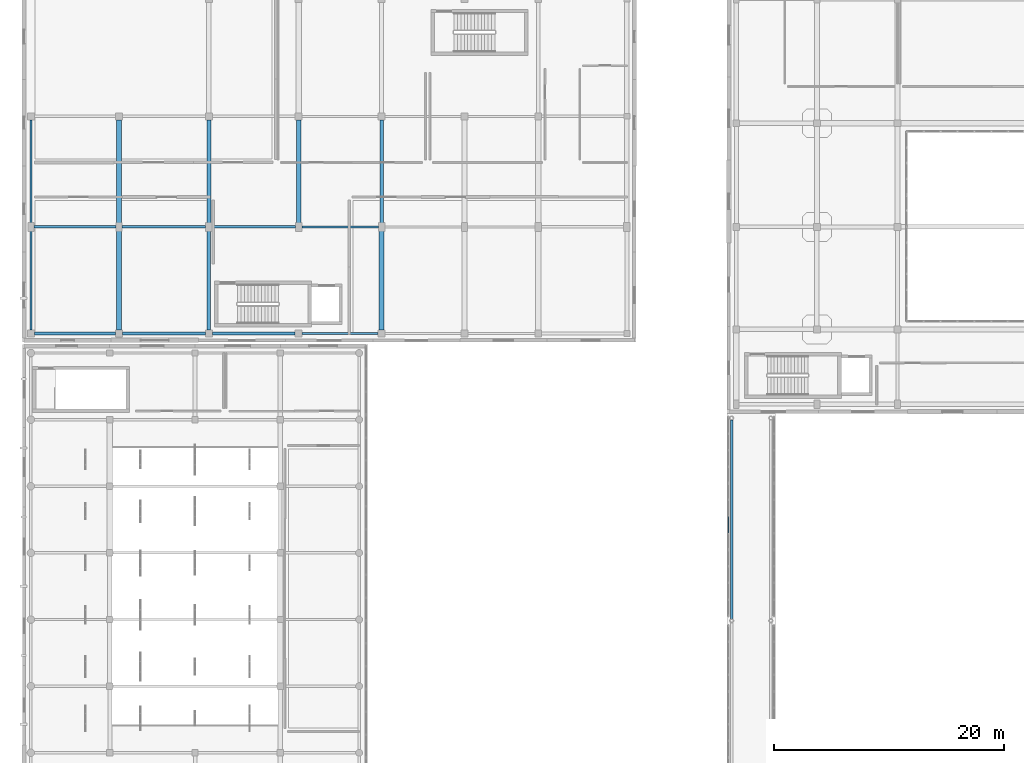
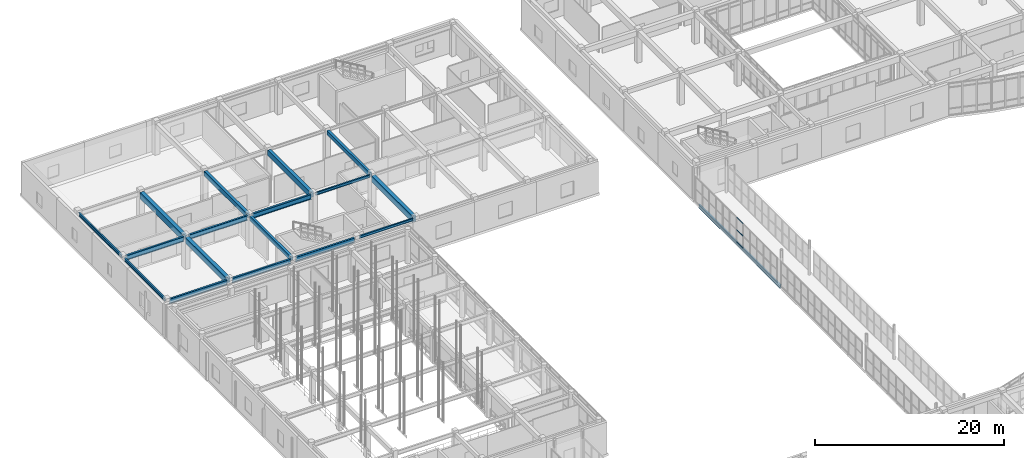
# One storey, part 63 of 142: 18 beams, 3 members, 1 element without a shape of its own.
"""IFC4 building model written with IfcOpenShell, lengths in metres."""

from ifc_helpers import new_model, si_unit, direction, frame, origin, origin_2d, place, context, subcontext, project, spatial, rectangle, hollow_rectangle, i_section, extrude, material, layer, layer_set, material_profile, profile_set, type_object, element, aggregate, save


model = new_model("IFC4")

# Units and contexts
model_context = context("Model", 3, precision=1e-05, world=origin(), true_north=direction((0.0, 1.0)))
body_context = subcontext(model_context, "Body", "Model", "MODEL_VIEW")
ifc_project = project(units=[si_unit("LENGTHUNIT", "METRE"), si_unit("AREAUNIT", "SQUARE_METRE"), si_unit("VOLUMEUNIT", "CUBIC_METRE"), si_unit("PLANEANGLEUNIT", "RADIAN"), si_unit("MASSUNIT", "GRAM", prefix="KILO")], contexts=[model_context])

# Site, building, storey
site_placement = place(None, origin())
site = spatial("IfcSite", under=ifc_project, at=site_placement, CompositionType="ELEMENT")
building_placement = place(site_placement, origin())
building = spatial("IfcBuilding", under=site, at=building_placement, Name="Valcora Specialist Clinic", CompositionType="ELEMENT")
storey_placement = place(building_placement, frame((0.0, 0.0, 5.10009765625)))
storey = spatial("IfcBuildingStorey", under=building, at=storey_placement, Name="L01", CompositionType="ELEMENT", Elevation=5.10009765625)

# Beams
ifc_material_1 = material(Name="Steel ASTM A992 Grade 50", Category="steel")
ifc_material_profile_1 = material_profile(ifc_material_1, i_section(OverallWidth=0.18994140625, OverallDepth=0.45703125, WebThickness=0.009033203125, FlangeThickness=0.014892578125, at=origin_2d()), Name="ST-IR-460X190")
ifc_profile_set_1 = profile_set([ifc_material_profile_1], Name="Steel ASTM A992 Grade 50")
beam_type_1 = type_object("IfcBeamType", Name="TY-BG-IR460", PredefinedType="HOLLOWCORE", material=ifc_profile_set_1)
beam_1_placement = place(storey_placement, frame((61.60009765625, 56.159912109375, -0.482666015625), z_axis=(0.0, 1.0, 0.0), x_axis=(-1.0, 0.0, 0.0)))
element("IfcBeam", 1, at=beam_1_placement, inside=storey, type_object=beam_type_1, Name="Bridge girder BM-L01-1620", PredefinedType="HOLLOWCORE", context=body_context, shape_type="SweptSolid", body=[
    extrude(i_section(OverallWidth=0.18994140625, OverallDepth=0.45703125, WebThickness=0.009033203125, FlangeThickness=0.014892578125, at=origin_2d()), origin(), (0.0, 0.0, 1.0), 17.280029296875),
])
ifc_material_profile_2 = material_profile(ifc_material_1, i_section(OverallWidth=0.1708984375, OverallDepth=0.35595703125, WebThickness=0.008056640625, FlangeThickness=0.011962890625, at=origin_2d()), Name="ST-IR-360X170")
ifc_profile_set_2 = profile_set([ifc_material_profile_2], Name="Steel ASTM A992 Grade 50")
beam_type_2 = type_object("IfcBeamType", Name="TY-BM-IR360", PredefinedType="BEAM", material=ifc_profile_set_2)
beam_2_placement = place(storey_placement, frame((24.300048828125, 80.949951171875, 3.947998046875), z_axis=(1.0, 0.0, 0.0), x_axis=(0.0, 1.0, 0.0)))
element("IfcBeam", 2, at=beam_2_placement, inside=storey, type_object=beam_type_2, Name="Beam BM-L01-0290", PredefinedType="BEAM", context=body_context, shape_type="SweptSolid", body=[
    extrude(i_section(OverallWidth=0.1708984375, OverallDepth=0.35595703125, WebThickness=0.008056640625, FlangeThickness=0.011962890625, at=origin_2d()), origin(), (0.0, 0.0, 1.0), 6.599853515625),
])
beam_3_placement = place(storey_placement, frame((24.27490234375, 90.199951171875, 3.947998046875), z_axis=(1.0, 0.0, 0.0), x_axis=(0.0, 1.0, 0.0)))
element("IfcBeam", 3, at=beam_3_placement, inside=storey, type_object=beam_type_2, Name="Beam BM-L01-0297", PredefinedType="BEAM", context=body_context, shape_type="SweptSolid", body=[
    extrude(i_section(OverallWidth=0.1708984375, OverallDepth=0.35595703125, WebThickness=0.008056640625, FlangeThickness=0.011962890625, at=origin_2d()), origin(), (0.0, 0.0, 1.0), 6.650146484375),
])
ifc_material_profile_3 = material_profile(ifc_material_1, i_section(OverallWidth=0.177978515625, OverallDepth=0.406005859375, WebThickness=0.008056640625, FlangeThickness=0.012939453125, at=origin_2d()), Name="ST-IR-410X180")
ifc_profile_set_3 = profile_set([ifc_material_profile_3], Name="Steel ASTM A992 Grade 50")
beam_type_3 = type_object("IfcBeamType", Name="TY-BM-IR410", PredefinedType="SPANDREL", material=ifc_profile_set_3)
beam_4_placement = place(storey_placement, frame((0.75, 81.25, 3.9228515625), z_axis=(0.0, 1.0, 0.0), x_axis=(-1.0, 0.0, 0.0)))
element("IfcBeam", 4, at=beam_4_placement, inside=storey, type_object=beam_type_3, Name="Beam BM-L01-0313", PredefinedType="SPANDREL", context=body_context, shape_type="SweptSolid", body=[
    extrude(i_section(OverallWidth=0.177978515625, OverallDepth=0.406005859375, WebThickness=0.008056640625, FlangeThickness=0.012939453125, at=origin_2d()), origin(), (0.0, 0.0, 1.0), 8.675048828125),
])
beam_5_placement = place(storey_placement, frame((0.75, 90.47509765625, 3.9228515625), z_axis=(0.0, 1.0, 0.0), x_axis=(-1.0, 0.0, 0.0)))
element("IfcBeam", 5, at=beam_5_placement, inside=storey, type_object=beam_type_3, Name="Beam BM-L01-0314", PredefinedType="SPANDREL", context=body_context, shape_type="SweptSolid", body=[
    extrude(i_section(OverallWidth=0.177978515625, OverallDepth=0.406005859375, WebThickness=0.008056640625, FlangeThickness=0.012939453125, at=origin_2d()), origin(), (0.0, 0.0, 1.0), 9.02490234375),
])
ifc_material_profile_4 = material_profile(ifc_material_1, i_section(OverallWidth=0.22900390625, OverallDepth=0.612060546875, WebThickness=0.011962890625, FlangeThickness=0.02001953125, at=origin_2d()), Name="ST-IR-610X229")
ifc_profile_set_4 = profile_set([ifc_material_profile_4], Name="Steel ASTM A992 Grade 50")
beam_type_4 = type_object("IfcBeamType", Name="TY-BM-IR610", PredefinedType="BEAM", material=ifc_profile_set_4)
beam_6_placement = place(storey_placement, frame((1.050048828125, 80.949951171875, 3.81982421875), z_axis=(1.0, 0.0, 0.0), x_axis=(0.0, 1.0, 0.0)))
element("IfcBeam", 6, at=beam_6_placement, inside=storey, type_object=beam_type_4, Name="Beam BM-L01-0287", PredefinedType="BEAM", context=body_context, shape_type="SweptSolid", body=[
    extrude(i_section(OverallWidth=0.22900390625, OverallDepth=0.612060546875, WebThickness=0.011962890625, FlangeThickness=0.02001953125, at=origin_2d()), origin(), (0.0, 0.0, 1.0), 7.050048828125),
])
for number, where, z_axis, x_axis, name in (
    (7, (8.699951171875, 80.949951171875, 3.81982421875), (1.0, 0.0, 0.0), (0.0, 1.0, 0.0), "Beam BM-L01-0288"),
    (8, (16.5, 80.949951171875, 3.81982421875), (1.0, 0.0, 0.0), (0.0, 1.0, 0.0), "Beam BM-L01-0289"),
):
    element("IfcBeam", number, at=place(storey_placement, frame(where, z_axis=z_axis, x_axis=x_axis)), inside=storey, type_object=beam_type_4, Name=name, PredefinedType="BEAM", context=body_context, shape_type="SweptSolid", body=[
        extrude(i_section(OverallWidth=0.22900390625, OverallDepth=0.612060546875, WebThickness=0.011962890625, FlangeThickness=0.02001953125, at=origin_2d()), origin(), (0.0, 0.0, 1.0), 7.199951171875),
    ])
beam_7_placement = place(storey_placement, frame((1.02490234375, 90.199951171875, 3.81982421875), z_axis=(1.0, 0.0, 0.0), x_axis=(0.0, 1.0, 0.0)))
element("IfcBeam", 9, at=beam_7_placement, inside=storey, type_object=beam_type_4, Name="Beam BM-L01-0294", PredefinedType="BEAM", context=body_context, shape_type="SweptSolid", body=[
    extrude(i_section(OverallWidth=0.22900390625, OverallDepth=0.612060546875, WebThickness=0.011962890625, FlangeThickness=0.02001953125, at=origin_2d()), origin(), (0.0, 0.0, 1.0), 7.10009765625),
])
for number, where, z_axis, x_axis, name in (
    (10, (8.675048828125, 90.199951171875, 3.81982421875), (1.0, 0.0, 0.0), (0.0, 1.0, 0.0), "Beam BM-L01-0295"),
    (11, (16.47509765625, 90.199951171875, 3.81982421875), (1.0, 0.0, 0.0), (0.0, 1.0, 0.0), "Beam BM-L01-0296"),
):
    element("IfcBeam", number, at=place(storey_placement, frame(where, z_axis=z_axis, x_axis=x_axis)), inside=storey, type_object=beam_type_4, Name=name, PredefinedType="BEAM", context=body_context, shape_type="SweptSolid", body=[
        extrude(i_section(OverallWidth=0.22900390625, OverallDepth=0.612060546875, WebThickness=0.011962890625, FlangeThickness=0.02001953125, at=origin_2d()), origin(), (0.0, 0.0, 1.0), 7.25),
    ])
ifc_material_2 = material(Name="Concrete C40/50", Category="concrete")
ifc_material_profile_5 = material_profile(ifc_material_2, rectangle(XDim=0.300048828125, YDim=0.550048828125, at=origin_2d()), Name="RC-BM-300X550")
ifc_profile_set_5 = profile_set([ifc_material_profile_5], Name="Concrete C40/50")
beam_type_5 = type_object("IfcBeamType", Name="TY-BM-RC300X550", PredefinedType="BEAM", material=ifc_profile_set_5)
beam_8_placement = place(storey_placement, frame((16.199951171875, 81.25, 3.85498046875), z_axis=(0.0, 1.0, 0.0), x_axis=(-1.0, 0.0, 0.0)))
element("IfcBeam", 12, at=beam_8_placement, inside=storey, type_object=beam_type_5, Name="Beam BM-L01-0317", PredefinedType="BEAM", context=body_context, shape_type="SweptSolid", body=[
    extrude(rectangle(XDim=0.300048828125, YDim=0.550048828125, at=origin_2d()), origin(), (0.0, 0.0, 1.0), 8.675048828125),
])
beam_9_placement = place(storey_placement, frame((31.199951171875, 90.47509765625, 3.85498046875), z_axis=(0.0, 1.0, 0.0), x_axis=(-1.0, 0.0, 0.0)))
element("IfcBeam", 13, at=beam_9_placement, inside=storey, type_object=beam_type_5, Name="Beam BM-L01-0323", PredefinedType="BEAM", context=body_context, shape_type="SweptSolid", body=[
    extrude(rectangle(XDim=0.300048828125, YDim=0.550048828125, at=origin_2d()), origin(), (0.0, 0.0, 1.0), 9.02490234375),
])
ifc_material_profile_6 = material_profile(ifc_material_2, rectangle(XDim=0.35009765625, YDim=0.60009765625, at=origin_2d()), Name="RC-BM-350X600")
ifc_profile_set_6 = profile_set([ifc_material_profile_6], Name="Concrete C40/50")
beam_type_6 = type_object("IfcBeamType", Name="TY-BM-RC350X600", PredefinedType="BEAM", material=ifc_profile_set_6)
beam_10_placement = place(storey_placement, frame((16.199951171875, 90.47509765625, 3.829833984375), z_axis=(0.0, 1.0, 0.0), x_axis=(-1.0, 0.0, 0.0)))
element("IfcBeam", 14, at=beam_10_placement, inside=storey, type_object=beam_type_6, Name="Beam BM-L01-0318", PredefinedType="BEAM", context=body_context, shape_type="SweptSolid", body=[
    extrude(rectangle(XDim=0.35009765625, YDim=0.60009765625, at=origin_2d()), origin(), (0.0, 0.0, 1.0), 9.02490234375),
])
ifc_material_profile_7 = material_profile(ifc_material_2, rectangle(XDim=0.39990234375, YDim=0.699951171875, at=origin_2d()), Name="RC-BM-400X700")
ifc_profile_set_7 = profile_set([ifc_material_profile_7], Name="Concrete C40/50")
beam_type_7 = type_object("IfcBeamType", Name="TY-BM-RC400X700", PredefinedType="BEAM", material=ifc_profile_set_7)
beam_11_placement = place(storey_placement, frame((24.0, 90.47509765625, 3.77978515625), z_axis=(0.0, 1.0, 0.0), x_axis=(-1.0, 0.0, 0.0)))
element("IfcBeam", 15, at=beam_11_placement, inside=storey, type_object=beam_type_7, Name="Beam BM-L01-0320", PredefinedType="BEAM", context=body_context, shape_type="SweptSolid", body=[
    extrude(rectangle(XDim=0.39990234375, YDim=0.699951171875, at=origin_2d()), origin(), (0.0, 0.0, 1.0), 9.02490234375),
])
ifc_material_profile_8 = material_profile(ifc_material_2, rectangle(XDim=0.449951171875, YDim=0.75, at=origin_2d()), Name="RC-BM-450X750")
ifc_profile_set_8 = profile_set([ifc_material_profile_8], Name="Concrete C40/50")
beam_type_8 = type_object("IfcBeamType", Name="TY-BM-RC450X750", PredefinedType="BEAM", material=ifc_profile_set_8)
beam_12_placement = place(storey_placement, frame((8.39990234375, 81.25, 3.7548828125), z_axis=(0.0, 1.0, 0.0), x_axis=(-1.0, 0.0, 0.0)))
element("IfcBeam", 16, at=beam_12_placement, inside=storey, type_object=beam_type_8, Name="Beam BM-L01-0315", PredefinedType="BEAM", context=body_context, shape_type="SweptSolid", body=[
    extrude(rectangle(XDim=0.449951171875, YDim=0.75, at=origin_2d()), origin(), (0.0, 0.0, 1.0), 8.675048828125),
])
ifc_material_profile_9 = material_profile(ifc_material_2, rectangle(XDim=0.449951171875, YDim=0.800048828125, at=origin_2d()), Name="RC-BM-450X800")
ifc_profile_set_9 = profile_set([ifc_material_profile_9], Name="Concrete C40/50")
beam_type_9 = type_object("IfcBeamType", Name="TY-BM-RC450X800", PredefinedType="BEAM", material=ifc_profile_set_9)
beam_13_placement = place(storey_placement, frame((8.39990234375, 90.47509765625, 3.72998046875), z_axis=(0.0, 1.0, 0.0), x_axis=(-1.0, 0.0, 0.0)))
element("IfcBeam", 17, at=beam_13_placement, inside=storey, type_object=beam_type_9, Name="Beam BM-L01-0316", PredefinedType="BEAM", context=body_context, shape_type="SweptSolid", body=[
    extrude(rectangle(XDim=0.449951171875, YDim=0.800048828125, at=origin_2d()), origin(), (0.0, 0.0, 1.0), 9.02490234375),
])
beam_14_placement = place(storey_placement, frame((31.199951171875, 81.25, 3.72998046875), z_axis=(0.0, 1.0, 0.0), x_axis=(-1.0, 0.0, 0.0)))
element("IfcBeam", 18, at=beam_14_placement, inside=storey, type_object=beam_type_9, Name="Beam BM-L01-0322", PredefinedType="BEAM", context=body_context, shape_type="SweptSolid", body=[
    extrude(rectangle(XDim=0.449951171875, YDim=0.800048828125, at=origin_2d()), origin(), (0.0, 0.0, 1.0), 8.675048828125),
])

# Curtain wall, members
ifc_material_3 = material(Name="Anodized Bronze Aluminium 6063-T6", Category="aluminium")
ifc_layer = layer(ifc_material_3, 0.175048828125)
ifc_layer_set = layer_set([ifc_layer], Name="Anodized Bronze Aluminium 6063-T6")
curtain_wall_type = type_object("IfcCurtainWallType", Name="TY-CW-BRG14", PredefinedType="NOTDEFINED", material=ifc_layer_set)
curtain_wall_placement = place(storey_placement, origin())
curtain_wall = element("IfcCurtainWall", 19, at=curtain_wall_placement, inside=storey, type_object=curtain_wall_type, Name="Curtain wall CW-L01-238", PredefinedType="NOTDEFINED")
ifc_material_profile_10 = material_profile(ifc_material_3, hollow_rectangle(XDim=0.06494140625, YDim=0.1298828125, WallThickness=0.00390625, at=origin_2d()), Name="AL-TRN-65X130")
ifc_profile_set_10 = profile_set([ifc_material_profile_10], Name="Anodized Bronze Aluminium 6063-T6")
member_type = type_object("IfcMemberType", Name="TY-CWT-65X130", PredefinedType="USERDEFINED", material=ifc_profile_set_10)
member_1_placement = place(storey_placement, frame((61.320068359375, 63.640869140625, 0.032470703125), z_axis=(0.0, 1.0, 0.0), x_axis=(-1.0, 0.0, 0.0)))
member_1 = element("IfcMember", 20, at=member_1_placement, type_object=member_type, Name="CW-BRG-14 transom 2.1", ObjectType="TRANSOM", PredefinedType="USERDEFINED", context=body_context, shape_type="SweptSolid", body=[
    extrude(hollow_rectangle(XDim=0.06494140625, YDim=0.1298828125, WallThickness=0.00390625, at=origin_2d()), origin(), (0.0, 0.0, 1.0), 1.376708984375),
])
member_2_placement = place(storey_placement, frame((61.320068359375, 63.640869140625, 1.619873046875), z_axis=(0.0, 1.0, 0.0), x_axis=(-1.0, 0.0, 0.0)))
member_2 = element("IfcMember", 21, at=member_2_placement, type_object=member_type, Name="CW-BRG-14 transom 2.2", ObjectType="TRANSOM", PredefinedType="USERDEFINED", context=body_context, shape_type="SweptSolid", body=[
    extrude(hollow_rectangle(XDim=0.06494140625, YDim=0.1298828125, WallThickness=0.00390625, at=origin_2d()), origin(), (0.0, 0.0, 1.0), 1.376708984375),
])
member_3_placement = place(storey_placement, frame((61.320068359375, 63.640869140625, 3.20751953125), z_axis=(0.0, 1.0, 0.0), x_axis=(-1.0, 0.0, 0.0)))
member_3 = element("IfcMember", 22, at=member_3_placement, type_object=member_type, Name="CW-BRG-14 transom 2.3", ObjectType="TRANSOM", PredefinedType="USERDEFINED", context=body_context, shape_type="SweptSolid", body=[
    extrude(hollow_rectangle(XDim=0.06494140625, YDim=0.1298828125, WallThickness=0.00390625, at=origin_2d()), origin(), (0.0, 0.0, 1.0), 1.376708984375),
])
aggregate(curtain_wall, [member_1, member_2, member_3])

save(model, "model.ifc")
